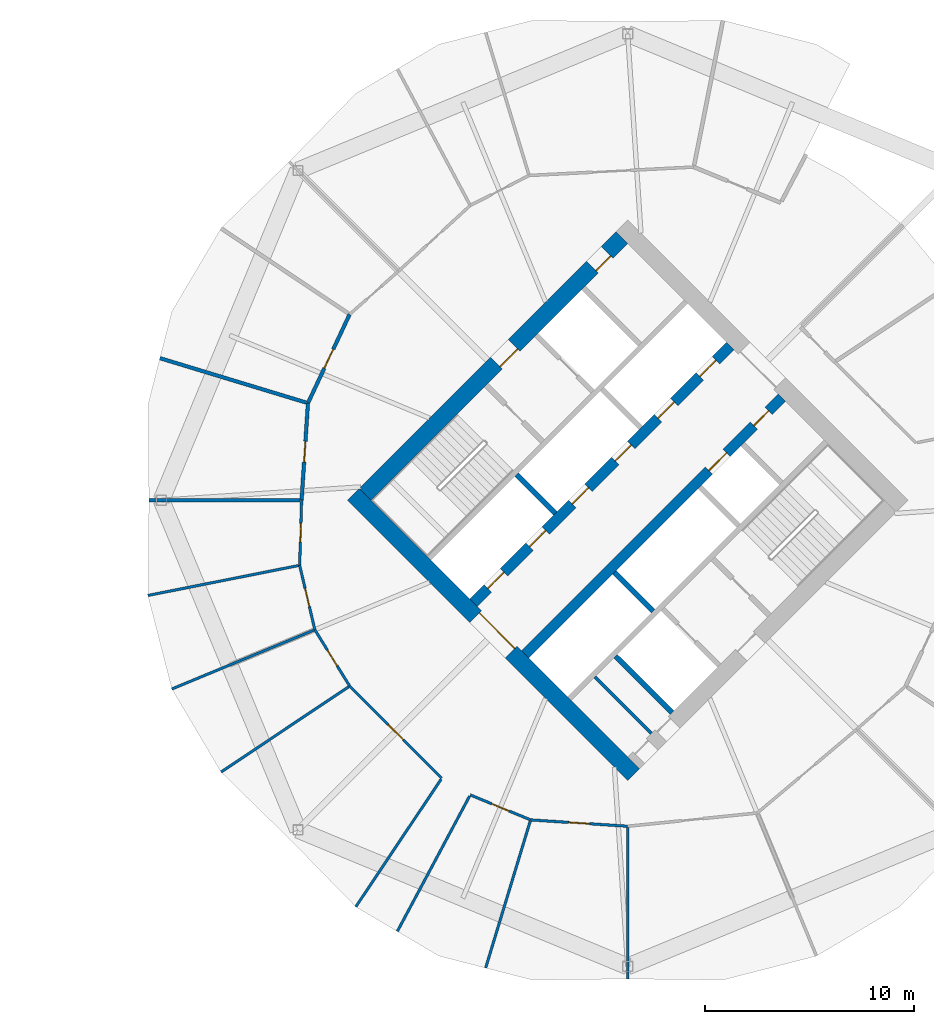
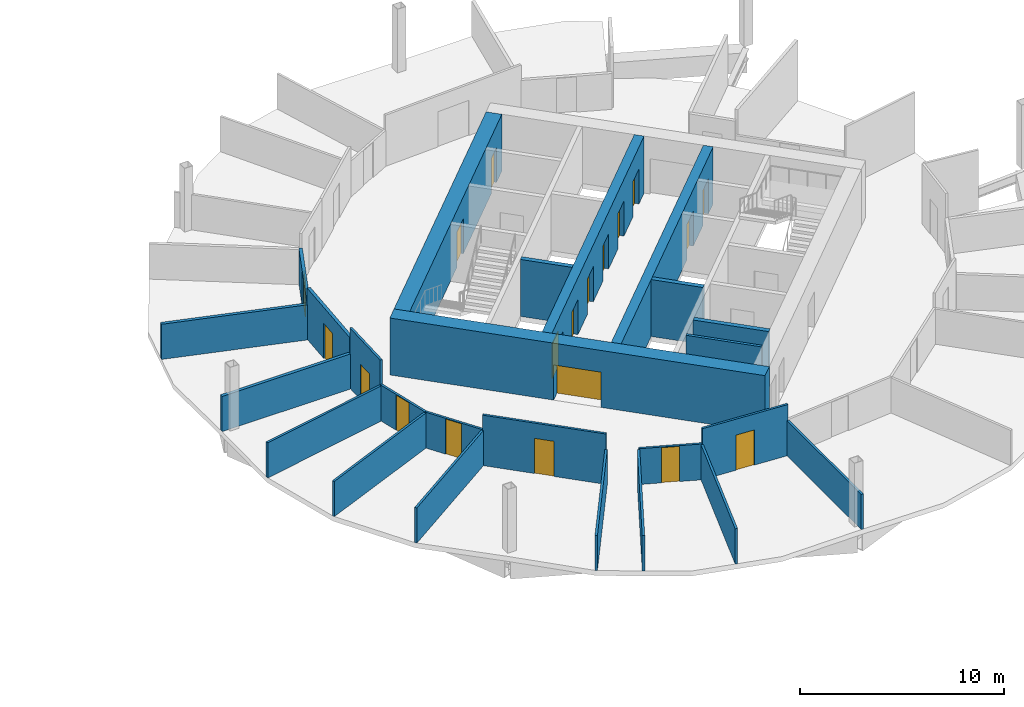
# One storey, part 6 of 10: 25 walls, 19 doors, 19 openings.
"""IFC4 building model written with IfcOpenShell, lengths in metres."""

from ifc_helpers import new_model, si_unit, direction, frame, frame_2d, origin, place, context, subcontext, project, spatial, rectangle, extrude, material, layer, layer_set, type_object, element, fill, save


model = new_model("IFC4")

# Units and contexts
model_context = context("Model", 3, precision=1e-05, world=origin(), true_north=direction((0.0, 1.0)))
body_context = subcontext(model_context, "Body", "Model", "MODEL_VIEW")
ifc_project = project(units=[si_unit("LENGTHUNIT", "METRE"), si_unit("AREAUNIT", "SQUARE_METRE"), si_unit("VOLUMEUNIT", "CUBIC_METRE"), si_unit("PLANEANGLEUNIT", "RADIAN"), si_unit("MASSUNIT", "GRAM", prefix="KILO")], contexts=[model_context])

# Site, building, storey
site_placement = place(None, origin())
site = spatial("IfcSite", under=ifc_project, at=site_placement, CompositionType="ELEMENT")
building_placement = place(site_placement, origin())
building = spatial("IfcBuilding", under=site, at=building_placement, Name="Ogive Gate Towers", CompositionType="ELEMENT")
storey_placement = place(building_placement, frame((0.0, 0.0, 126.89990234375)))
storey = spatial("IfcBuildingStorey", under=building, at=storey_placement, Name="L30", CompositionType="ELEMENT", Elevation=126.89990234375)

# Walls
ifc_material_1 = material(Name="Gypsum board acoustic partition")
ifc_layer_1 = layer(ifc_material_1, 0.175048828125)
ifc_layer_set_1 = layer_set([ifc_layer_1], Name="Acoustic partition 175")
wall_type_1 = type_object("IfcWallType", Name="Acoustic partition 175", PredefinedType="PARTITIONING", material=ifc_layer_set_1)
wall_1_placement = place(storey_placement, frame((13.5751953125, 6.80859375, 0.0), z_axis=(0.0, 0.0, 1.0), x_axis=(0.956872477348, -0.290508282317, 0.0)))
element("IfcWall", 1, at=wall_1_placement, inside=storey, type_object=wall_type_1, Name="Partition T2-L30-010", PredefinedType="PARTITIONING", context=body_context, shape_type="SweptSolid", body=[
    extrude(rectangle(XDim=7.33154296875, YDim=0.175048828125, at=frame_2d((3.665771484375, 0.0))), origin(), (0.0, 0.0, 1.0), 2.10009765625),
])
wall_2_placement = place(storey_placement, frame((13.051025390625, 0.0, 0.0), z_axis=(0.0, 0.0, 1.0), x_axis=(1.0, 0.0, 0.0)))
element("IfcWall", 2, at=wall_2_placement, inside=storey, type_object=wall_type_1, Name="Partition T2-L30-011", PredefinedType="PARTITIONING", context=body_context, shape_type="SweptSolid", body=[
    extrude(rectangle(XDim=7.2314453125, YDim=0.175048828125, at=frame_2d((3.61572265625, 0.0))), origin(), (0.0, 0.0, 1.0), 2.10009765625),
])

# Wall, opening, door
wall_3_placement = place(storey_placement, frame((20.3701171875, 0.0, 0.0), z_axis=(0.0, 0.0, 1.0), x_axis=(0.065233267178, 0.997870042066, 0.0)))
wall_3 = element("IfcWall", 3, at=wall_3_placement, inside=storey, type_object=wall_type_1, Name="Partition T2-L30-028", PredefinedType="PARTITIONING", context=body_context, shape_type="SweptSolid", body=[
    extrude(rectangle(XDim=4.663330078125, YDim=0.175048828125, at=frame_2d((2.33154296875, 0.0))), origin(), (0.0, 0.0, 1.0), 3.050048828125),
])
opening_1_placement = place(wall_3_placement, frame((1.83203125, 0.0, 0.0)))
opening_1 = element("IfcOpeningElement", 4, at=opening_1_placement, cuts=wall_3, Name="Opening T2-L30-D05", PredefinedType="OPENING", context=body_context, shape_type="SweptSolid", body=[
    extrude(rectangle(XDim=1.0, YDim=2.10009765625, at=frame_2d((0.5, 1.050048828125))), frame((0.0, 0.09765625, 0.0), z_axis=(0.0, -1.0, 0.0), x_axis=(1.0, 0.0, 0.0)), (0.0, 0.0, 1.0), 0.195068359375),
])
ifc_material_2 = material(Name="Timber door", Category="wood")
door_type_1 = type_object("IfcDoorType", Name="Door 1000", OperationType="NOTDEFINED", PredefinedType="DOOR", material=ifc_material_2)
door_1_placement = place(opening_1_placement, origin())
door_1 = element("IfcDoor", 5, at=door_1_placement, inside=storey, type_object=door_type_1, Name="Door T2-L30-D05", OperationType="SINGLE_SWING_RIGHT", OverallHeight=2.10009765625, OverallWidth=1.0, PredefinedType="DOOR", context=body_context, shape_type="SweptSolid", body=[
    extrude(rectangle(XDim=1.0, YDim=2.10009765625, at=frame_2d((0.5, 1.050048828125))), frame((0.0, 0.02490234375, 0.0), z_axis=(0.0, -1.0, 0.0), x_axis=(1.0, 0.0, 0.0)), (0.0, 0.0, 1.0), 0.050048828125),
])
fill(opening_1, door_1)

wall_4_placement = place(storey_placement, frame((20.67431640625, 4.6533203125, 0.0), z_axis=(0.0, 0.0, 1.0), x_axis=(0.425174486492, 0.905111405318, 0.0)))
wall_4 = element("IfcWall", 6, at=wall_4_placement, inside=storey, type_object=wall_type_1, Name="Partition T2-L30-029", PredefinedType="PARTITIONING", context=body_context, shape_type="SweptSolid", body=[
    extrude(rectangle(XDim=4.703369140625, YDim=0.175048828125, at=frame_2d((2.3515625, 0.0))), origin(), (0.0, 0.0, 1.0), 2.14013671875),
])
opening_2_placement = place(wall_4_placement, frame((1.85205078125, 0.0, 0.0)))
opening_2 = element("IfcOpeningElement", 7, at=opening_2_placement, cuts=wall_4, Name="Opening T2-L30-D06", PredefinedType="OPENING", context=body_context, shape_type="SweptSolid", body=[
    extrude(rectangle(XDim=1.0, YDim=2.10009765625, at=frame_2d((0.5, 1.050048828125))), frame((0.0, 0.09765625, 0.0), z_axis=(0.0, -1.0, 0.0), x_axis=(1.0, 0.0, 0.0)), (0.0, 0.0, 1.0), 0.195068359375),
])
door_2_placement = place(opening_2_placement, origin())
door_2 = element("IfcDoor", 8, at=door_2_placement, inside=storey, type_object=door_type_1, Name="Door T2-L30-D06", OperationType="SINGLE_SWING_RIGHT", OverallHeight=2.10009765625, OverallWidth=1.0, PredefinedType="DOOR", context=body_context, shape_type="SweptSolid", body=[
    extrude(rectangle(XDim=1.0, YDim=2.10009765625, at=frame_2d((0.5, 1.050048828125))), frame((0.0, 0.02490234375, 0.0), z_axis=(0.0, -1.0, 0.0), x_axis=(1.0, 0.0, 0.0)), (0.0, 0.0, 1.0), 0.050048828125),
])
fill(opening_2, door_2)

# Wall, openings, doors
ifc_material_3 = material(Name="Concrete C60/75", Category="concrete")
ifc_layer_2 = layer(ifc_material_3, 0.800048828125)
ifc_layer_set_2 = layer_set([ifc_layer_2], Name="Core wall 800 mm")
wall_type_2 = type_object("IfcWallType", Name="Core wall 800 mm", PredefinedType="SHEAR", material=ifc_layer_set_2)
wall_5_placement = place(storey_placement, frame((23.41357421875, 0.28271484375, 0.0), z_axis=(0.0, 0.0, 1.0), x_axis=(0.707106781187, 0.707106781187, 0.0)))
wall_5 = element("IfcWall", 9, at=wall_5_placement, inside=storey, type_object=wall_type_2, Name="T2 L30 Core wall 800 mm", PredefinedType="SHEAR", context=body_context, shape_type="SweptSolid", body=[
    extrude(rectangle(XDim=17.400146484375, YDim=0.800048828125, at=frame_2d((8.7001953125, 0.0))), origin(), (0.0, 0.0, 1.0), 3.400146484375),
])
opening_3_placement = place(wall_5_placement, frame((8.89990234375, 0.0, 0.0)))
opening_3 = element("IfcOpeningElement", 10, at=opening_3_placement, cuts=wall_5, Name="Opening KD-T2-L30-15", PredefinedType="OPENING", context=body_context, shape_type="SweptSolid", body=[
    extrude(rectangle(XDim=1.199951171875, YDim=2.10009765625, at=frame_2d((0.60009765625, 1.050048828125))), frame((0.0, 0.41015625, 0.0), z_axis=(0.0, -1.0, 0.0), x_axis=(1.0, 0.0, 0.0)), (0.0, 0.0, 1.0), 0.820068359375),
])
opening_4_placement = place(wall_5_placement, frame((15.39990234375, 0.0, 0.0)))
opening_4 = element("IfcOpeningElement", 11, at=opening_4_placement, cuts=wall_5, Name="Opening KD-T2-L30-17", PredefinedType="OPENING", context=body_context, shape_type="SweptSolid", body=[
    extrude(rectangle(XDim=1.0, YDim=2.10009765625, at=frame_2d((0.5, 1.050048828125))), frame((0.0, 0.41015625, 0.0), z_axis=(0.0, -1.0, 0.0), x_axis=(1.0, 0.0, 0.0)), (0.0, 0.0, 1.0), 0.820068359375),
])
door_type_2 = type_object("IfcDoorType", Name="Accessible WC door 1000 x 2100", OperationType="NOTDEFINED", PredefinedType="DOOR", material=ifc_material_2)
door_3_placement = place(opening_4_placement, origin())
door_3 = element("IfcDoor", 12, at=door_3_placement, inside=storey, type_object=door_type_2, Name="T2 L30 Core door", OperationType="SINGLE_SWING_RIGHT", OverallHeight=2.10009765625, OverallWidth=1.0, PredefinedType="DOOR", context=body_context, shape_type="SweptSolid", body=[
    extrude(rectangle(XDim=1.0, YDim=2.10009765625, at=frame_2d((0.5, 1.050048828125))), frame((0.0, -0.22509765625, 0.0), z_axis=(0.0, -1.0, 0.0), x_axis=(1.0, 0.0, 0.0)), (0.0, 0.0, 1.0), 0.050048828125),
])
fill(opening_4, door_3)
ifc_material_4 = material(Name="Steel fire door", Category="steel")
door_type_3 = type_object("IfcDoorType", Name="Core door FD60S 1200 x 2100", OperationType="NOTDEFINED", PredefinedType="DOOR", material=ifc_material_4)
door_4_placement = place(opening_3_placement, origin())
door_4 = element("IfcDoor", 13, at=door_4_placement, inside=storey, type_object=door_type_3, Name="T2 L30 Fire-fighting lobby door", OperationType="SINGLE_SWING_RIGHT", OverallHeight=2.10009765625, OverallWidth=1.199951171875, PredefinedType="DOOR", context=body_context, shape_type="SweptSolid", body=[
    extrude(rectangle(XDim=1.199951171875, YDim=2.10009765625, at=frame_2d((0.60009765625, 1.050048828125))), frame((0.0, -0.22509765625, 0.0), z_axis=(0.0, -1.0, 0.0), x_axis=(1.0, 0.0, 0.0)), (0.0, 0.0, 1.0), 0.050048828125),
])
fill(opening_3, door_4)

# Wall, opening, door
wall_6_placement = place(storey_placement, frame((36.28271484375, -13.152099609375, 0.0), z_axis=(0.0, 0.0, 1.0), x_axis=(-0.707106781187, 0.707106781187, 0.0)))
wall_6 = element("IfcWall", 14, at=wall_6_placement, inside=storey, type_object=wall_type_2, Name="T2 L30 Core wall 800 mm", PredefinedType="SHEAR", context=body_context, shape_type="SweptSolid", body=[
    extrude(rectangle(XDim=18.999755859375, YDim=0.800048828125, at=frame_2d((9.5, 0.0))), origin(), (0.0, 0.0, 1.0), 3.400146484375),
])
opening_5_placement = place(wall_6_placement, frame((8.300048828125, 0.0, 0.0)))
opening_5 = element("IfcOpeningElement", 15, at=opening_5_placement, cuts=wall_6, Name="Opening KD-T2-L30-01", PredefinedType="OPENING", context=body_context, shape_type="SweptSolid", body=[
    extrude(rectangle(XDim=2.39990234375, YDim=2.10009765625, at=frame_2d((1.199951171875, 1.050048828125))), frame((0.0, 0.41015625, 0.0), z_axis=(0.0, -1.0, 0.0), x_axis=(1.0, 0.0, 0.0)), (0.0, 0.0, 1.0), 0.820068359375),
])
door_type_4 = type_object("IfcDoorType", Name="Core double door FD60S 2400 x 2100", OperationType="DOUBLE_DOOR_SINGLE_SWING", PredefinedType="DOOR", material=ifc_material_4)
door_5_placement = place(opening_5_placement, origin())
door_5 = element("IfcDoor", 16, at=door_5_placement, inside=storey, type_object=door_type_4, Name="T2 L30 Core door double", OperationType="DOUBLE_DOOR_SINGLE_SWING", OverallHeight=2.10009765625, OverallWidth=2.39990234375, PredefinedType="DOOR", context=body_context, shape_type="SweptSolid", body=[
    extrude(rectangle(XDim=2.39990234375, YDim=2.10009765625, at=frame_2d((1.199951171875, 1.050048828125))), frame((0.0, -0.22509765625, 0.0), z_axis=(0.0, -1.0, 0.0), x_axis=(1.0, 0.0, 0.0)), (0.0, 0.0, 1.0), 0.050048828125),
])
fill(opening_5, door_5)

# Walls
ifc_material_5 = material(Name="Gypsum board partition")
ifc_layer_3 = layer(ifc_material_5, 0.125)
ifc_layer_set_3 = layer_set([ifc_layer_3], Name="Partition 125")
wall_type_3 = type_object("IfcWallType", Name="Partition 125", PredefinedType="PARTITIONING", material=ifc_layer_set_3)
wall_7_placement = place(storey_placement, frame((12.99951171875, -4.5673828125, 0.0), z_axis=(0.0, 0.0, 1.0), x_axis=(0.980847810258, 0.194775699489, 0.0)))
element("IfcWall", 17, at=wall_7_placement, inside=storey, type_object=wall_type_3, Name="Partition T2-L30-012", PredefinedType="PARTITIONING", context=body_context, shape_type="SweptSolid", body=[
    extrude(rectangle(XDim=7.3564453125, YDim=0.125, at=frame_2d((3.67822265625, 0.0))), origin(), (0.0, 0.0, 1.0), 2.10009765625),
])
wall_8_placement = place(storey_placement, frame((14.150146484375, -9.05029296875, 0.0), z_axis=(0.0, 0.0, 1.0), x_axis=(0.923882951108, 0.382675179038, 0.0)))
element("IfcWall", 18, at=wall_8_placement, inside=storey, type_object=wall_type_3, Name="Partition T2-L30-013", PredefinedType="PARTITIONING", context=body_context, shape_type="SweptSolid", body=[
    extrude(rectangle(XDim=7.356689453125, YDim=0.125, at=frame_2d((3.67822265625, 0.0))), origin(), (0.0, 0.0, 1.0), 2.10009765625),
])
for number, where, z_axis, x_axis, name in (
    (19, (16.506591796875, -13.0341796875, 0.0), (0.0, 0.0, 1.0), (0.831304109305, 0.555817845928, 0.0), "Partition T2-L30-014"),
    (20, (22.9658203125, -19.493408203125, 0.0), (0.0, 0.0, 1.0), (0.555817845928, 0.831304109305, 0.0), "Partition T2-L30-015"),
    (21, (24.9580078125, -20.671142578125, 0.0), (0.0, 0.0, 1.0), (0.471158290379, 0.882048675192, 0.0), "Partition T2-L30-016"),
):
    element("IfcWall", number, at=place(storey_placement, frame(where, z_axis=z_axis, x_axis=x_axis)), inside=storey, type_object=wall_type_3, Name=name, PredefinedType="PARTITIONING", context=body_context, shape_type="SweptSolid", body=[
        extrude(rectangle(XDim=7.3564453125, YDim=0.125, at=frame_2d((3.67822265625, 0.0))), origin(), (0.0, 0.0, 1.0), 2.10009765625),
    ])
wall_9_placement = place(storey_placement, frame((29.19140625, -22.4248046875, 0.0), z_axis=(0.0, 0.0, 1.0), x_axis=(0.290515788093, 0.956870198548, 0.0)))
element("IfcWall", 22, at=wall_9_placement, inside=storey, type_object=wall_type_3, Name="Partition T2-L30-017", PredefinedType="PARTITIONING", context=body_context, shape_type="SweptSolid", body=[
    extrude(rectangle(XDim=7.356689453125, YDim=0.125, at=frame_2d((3.67822265625, 0.0))), origin(), (0.0, 0.0, 1.0), 2.10009765625),
])
wall_10_placement = place(storey_placement, frame((36.0, -22.948974609375, 0.0), z_axis=(0.0, 0.0, 1.0), x_axis=(0.0, 1.0, 0.0)))
element("IfcWall", 23, at=wall_10_placement, inside=storey, type_object=wall_type_3, Name="Partition T2-L30-018", PredefinedType="PARTITIONING", context=body_context, shape_type="SweptSolid", body=[
    extrude(rectangle(XDim=7.256591796875, YDim=0.125, at=frame_2d((3.62841796875, 0.0))), origin(), (0.0, 0.0, 1.0), 2.10009765625),
])

# Wall, opening, door
wall_11_placement = place(storey_placement, frame((27.089599609375, -13.325927734375, 0.0), z_axis=(0.0, 0.0, 1.0), x_axis=(-0.707106781187, 0.707106781187, 0.0)))
wall_11 = element("IfcWall", 24, at=wall_11_placement, inside=storey, type_object=wall_type_3, Name="Partition T2-L30-024", PredefinedType="PARTITIONING", context=body_context, shape_type="SweptSolid", body=[
    extrude(rectangle(XDim=6.244384765625, YDim=0.125, at=frame_2d((3.1220703125, 0.0))), origin(), (0.0, 0.0, 1.0), 3.010009765625),
])
opening_6_placement = place(wall_11_placement, frame((2.6220703125, 0.0, 0.0)))
opening_6 = element("IfcOpeningElement", 25, at=opening_6_placement, cuts=wall_11, Name="Opening T2-L30-D01", PredefinedType="OPENING", context=body_context, shape_type="SweptSolid", body=[
    extrude(rectangle(XDim=1.0, YDim=2.10009765625, at=frame_2d((0.5, 1.050048828125))), frame((0.0, 0.072509765625, 0.0), z_axis=(0.0, -1.0, 0.0), x_axis=(1.0, 0.0, 0.0)), (0.0, 0.0, 1.0), 0.14501953125),
])
door_6_placement = place(opening_6_placement, origin())
door_6 = element("IfcDoor", 26, at=door_6_placement, inside=storey, type_object=door_type_1, Name="Door T2-L30-D01", OperationType="SINGLE_SWING_RIGHT", OverallHeight=2.10009765625, OverallWidth=1.0, PredefinedType="DOOR", context=body_context, shape_type="SweptSolid", body=[
    extrude(rectangle(XDim=1.0, YDim=2.10009765625, at=frame_2d((0.5, 1.050048828125))), frame((0.0, 0.02490234375, 0.0), z_axis=(0.0, -1.0, 0.0), x_axis=(1.0, 0.0, 0.0)), (0.0, 0.0, 1.0), 0.050048828125),
])
fill(opening_6, door_6)

wall_12_placement = place(storey_placement, frame((22.674072265625, -8.910400390625, 0.0), z_axis=(0.0, 0.0, 1.0), x_axis=(-0.52606593962, 0.850443782488, 0.0)))
wall_12 = element("IfcWall", 27, at=wall_12_placement, inside=storey, type_object=wall_type_3, Name="Partition T2-L30-025", PredefinedType="PARTITIONING", context=body_context, shape_type="SweptSolid", body=[
    extrude(rectangle(XDim=3.173828125, YDim=0.125, at=frame_2d((1.5869140625, 0.0))), origin(), (0.0, 0.0, 1.0), 2.14013671875),
])
opening_7_placement = place(wall_12_placement, frame((1.136962890625, 0.0, 0.0)))
opening_7 = element("IfcOpeningElement", 28, at=opening_7_placement, cuts=wall_12, Name="Opening T2-L30-D02", PredefinedType="OPENING", context=body_context, shape_type="SweptSolid", body=[
    extrude(rectangle(XDim=0.89990234375, YDim=2.10009765625, at=frame_2d((0.449951171875, 1.050048828125))), frame((0.0, 0.072509765625, 0.0), z_axis=(0.0, -1.0, 0.0), x_axis=(1.0, 0.0, 0.0)), (0.0, 0.0, 1.0), 0.14501953125),
])
door_type_5 = type_object("IfcDoorType", Name="Door 900", OperationType="NOTDEFINED", PredefinedType="DOOR", material=ifc_material_2)
door_7_placement = place(opening_7_placement, origin())
door_7 = element("IfcDoor", 29, at=door_7_placement, inside=storey, type_object=door_type_5, Name="Door T2-L30-D02", OperationType="SINGLE_SWING_LEFT", OverallHeight=2.10009765625, OverallWidth=0.89990234375, PredefinedType="DOOR", context=body_context, shape_type="SweptSolid", body=[
    extrude(rectangle(XDim=0.89990234375, YDim=2.10009765625, at=frame_2d((0.449951171875, 1.050048828125))), frame((0.0, 0.02490234375, 0.0), z_axis=(0.0, -1.0, 0.0), x_axis=(1.0, 0.0, 0.0)), (0.0, 0.0, 1.0), 0.050048828125),
])
fill(opening_7, door_7)

wall_13_placement = place(storey_placement, frame((21.00439453125, -6.211181640625, 0.0), z_axis=(0.0, 0.0, 1.0), x_axis=(-0.229408081366, 0.973330330465, 0.0)))
wall_13 = element("IfcWall", 30, at=wall_13_placement, inside=storey, type_object=wall_type_3, Name="Partition T2-L30-026", PredefinedType="PARTITIONING", context=body_context, shape_type="SweptSolid", body=[
    extrude(rectangle(XDim=3.173583984375, YDim=0.125, at=frame_2d((1.5869140625, 0.0))), origin(), (0.0, 0.0, 1.0), 2.14013671875),
])
opening_8_placement = place(wall_13_placement, frame((1.136962890625, 0.0, 0.0)))
opening_8 = element("IfcOpeningElement", 31, at=opening_8_placement, cuts=wall_13, Name="Opening T2-L30-D03", PredefinedType="OPENING", context=body_context, shape_type="SweptSolid", body=[
    extrude(rectangle(XDim=0.89990234375, YDim=2.10009765625, at=frame_2d((0.449951171875, 1.050048828125))), frame((0.0, 0.072509765625, 0.0), z_axis=(0.0, -1.0, 0.0), x_axis=(1.0, 0.0, 0.0)), (0.0, 0.0, 1.0), 0.14501953125),
])
door_8_placement = place(opening_8_placement, origin())
door_8 = element("IfcDoor", 32, at=door_8_placement, inside=storey, type_object=door_type_5, Name="Door T2-L30-D03", OperationType="SINGLE_SWING_RIGHT", OverallHeight=2.10009765625, OverallWidth=0.89990234375, PredefinedType="DOOR", context=body_context, shape_type="SweptSolid", body=[
    extrude(rectangle(XDim=0.89990234375, YDim=2.10009765625, at=frame_2d((0.449951171875, 1.050048828125))), frame((0.0, 0.02490234375, 0.0), z_axis=(0.0, -1.0, 0.0), x_axis=(1.0, 0.0, 0.0)), (0.0, 0.0, 1.0), 0.050048828125),
])
fill(opening_8, door_8)

wall_14_placement = place(storey_placement, frame((20.2763671875, -3.122314453125, 0.0), z_axis=(0.0, 0.0, 1.0), x_axis=(0.030012277705, 0.999549530132, 0.0)))
wall_14 = element("IfcWall", 33, at=wall_14_placement, inside=storey, type_object=wall_type_3, Name="Partition T2-L30-027", PredefinedType="PARTITIONING", context=body_context, shape_type="SweptSolid", body=[
    extrude(rectangle(XDim=3.123779296875, YDim=0.125, at=frame_2d((1.56201171875, 0.0))), origin(), (0.0, 0.0, 1.0), 3.60009765625),
])
opening_9_placement = place(wall_14_placement, frame((1.112060546875, 0.0, 0.0)))
opening_9 = element("IfcOpeningElement", 34, at=opening_9_placement, cuts=wall_14, Name="Opening T2-L30-D04", PredefinedType="OPENING", context=body_context, shape_type="SweptSolid", body=[
    extrude(rectangle(XDim=0.89990234375, YDim=2.10009765625, at=frame_2d((0.449951171875, 1.050048828125))), frame((0.0, 0.072509765625, 0.0), z_axis=(0.0, -1.0, 0.0), x_axis=(1.0, 0.0, 0.0)), (0.0, 0.0, 1.0), 0.14501953125),
])
door_9_placement = place(opening_9_placement, origin())
door_9 = element("IfcDoor", 35, at=door_9_placement, inside=storey, type_object=door_type_5, Name="Door T2-L30-D04", OperationType="SINGLE_SWING_LEFT", OverallHeight=2.10009765625, OverallWidth=0.89990234375, PredefinedType="DOOR", context=body_context, shape_type="SweptSolid", body=[
    extrude(rectangle(XDim=0.89990234375, YDim=2.10009765625, at=frame_2d((0.449951171875, 1.050048828125))), frame((0.0, 0.02490234375, 0.0), z_axis=(0.0, -1.0, 0.0), x_axis=(1.0, 0.0, 0.0)), (0.0, 0.0, 1.0), 0.050048828125),
])
fill(opening_9, door_9)

wall_15_placement = place(storey_placement, frame((36.0, -15.6298828125, 0.0), z_axis=(0.0, 0.0, 1.0), x_axis=(-0.997870042066, 0.065233267178, 0.0)))
wall_15 = element("IfcWall", 36, at=wall_15_placement, inside=storey, type_object=wall_type_3, Name="Partition T2-L30-042", PredefinedType="PARTITIONING", context=body_context, shape_type="SweptSolid", body=[
    extrude(rectangle(XDim=4.663330078125, YDim=0.125, at=frame_2d((2.33154296875, 0.0))), origin(), (0.0, 0.0, 1.0), 3.050048828125),
])
opening_10_placement = place(wall_15_placement, frame((1.83203125, 0.0, 0.0)))
opening_10 = element("IfcOpeningElement", 37, at=opening_10_placement, cuts=wall_15, Name="Opening T2-L30-D19", PredefinedType="OPENING", context=body_context, shape_type="SweptSolid", body=[
    extrude(rectangle(XDim=1.0, YDim=2.10009765625, at=frame_2d((0.5, 1.050048828125))), frame((0.0, 0.072509765625, 0.0), z_axis=(0.0, -1.0, 0.0), x_axis=(1.0, 0.0, 0.0)), (0.0, 0.0, 1.0), 0.14501953125),
])
door_10_placement = place(opening_10_placement, origin())
door_10 = element("IfcDoor", 38, at=door_10_placement, inside=storey, type_object=door_type_1, Name="Door T2-L30-D19", OperationType="SINGLE_SWING_RIGHT", OverallHeight=2.10009765625, OverallWidth=1.0, PredefinedType="DOOR", context=body_context, shape_type="SweptSolid", body=[
    extrude(rectangle(XDim=1.0, YDim=2.10009765625, at=frame_2d((0.5, 1.050048828125))), frame((0.0, 0.02490234375, 0.0), z_axis=(0.0, -1.0, 0.0), x_axis=(1.0, 0.0, 0.0)), (0.0, 0.0, 1.0), 0.050048828125),
])
fill(opening_10, door_10)

wall_16_placement = place(storey_placement, frame((31.3466796875, -15.32568359375, 0.0), z_axis=(0.0, 0.0, 1.0), x_axis=(-0.923863839852, 0.382721315598, 0.0)))
wall_16 = element("IfcWall", 39, at=wall_16_placement, inside=storey, type_object=wall_type_3, Name="Partition T2-L30-043", PredefinedType="PARTITIONING", context=body_context, shape_type="SweptSolid", body=[
    extrude(rectangle(XDim=3.131591796875, YDim=0.125, at=frame_2d((1.56591796875, 0.0))), origin(), (0.0, 0.0, 1.0), 2.14013671875),
])
opening_11_placement = place(wall_16_placement, frame((1.115966796875, 0.0, 0.0)))
opening_11 = element("IfcOpeningElement", 40, at=opening_11_placement, cuts=wall_16, Name="Opening T2-L30-D20", PredefinedType="OPENING", context=body_context, shape_type="SweptSolid", body=[
    extrude(rectangle(XDim=0.89990234375, YDim=2.10009765625, at=frame_2d((0.449951171875, 1.050048828125))), frame((0.0, 0.072509765625, 0.0), z_axis=(0.0, -1.0, 0.0), x_axis=(1.0, 0.0, 0.0)), (0.0, 0.0, 1.0), 0.14501953125),
])
door_11_placement = place(opening_11_placement, origin())
door_11 = element("IfcDoor", 41, at=door_11_placement, inside=storey, type_object=door_type_5, Name="Door T2-L30-D20", OperationType="SINGLE_SWING_RIGHT", OverallHeight=2.10009765625, OverallWidth=0.89990234375, PredefinedType="DOOR", context=body_context, shape_type="SweptSolid", body=[
    extrude(rectangle(XDim=0.89990234375, YDim=2.10009765625, at=frame_2d((0.449951171875, 1.050048828125))), frame((0.0, 0.02490234375, 0.0), z_axis=(0.0, -1.0, 0.0), x_axis=(1.0, 0.0, 0.0)), (0.0, 0.0, 1.0), 0.050048828125),
])
fill(opening_11, door_11)

# Walls
ifc_layer_4 = layer(ifc_material_5, 0.14990234375)
ifc_layer_set_4 = layer_set([ifc_layer_4], Name="Room partition 150 mm")
wall_type_4 = type_object("IfcWallType", Name="Room partition 150 mm", PredefinedType="PARTITIONING", material=ifc_layer_set_4)
wall_17_placement = place(storey_placement, frame((37.13134765625, -11.17236328125, 0.0), z_axis=(0.0, 0.0, 1.0), x_axis=(-0.707074866995, 0.707138693938, 0.0)))
element("IfcWall", 42, at=wall_17_placement, inside=storey, type_object=wall_type_4, Name="T2 L30 Room partition 150 mm", PredefinedType="PARTITIONING", context=body_context, shape_type="SweptSolid", body=[
    extrude(rectangle(XDim=3.824951171875, YDim=0.14990234375, at=frame_2d((1.91259765625, 0.0))), origin(), (0.0, 0.0, 1.0), 3.400146484375),
])
ifc_layer_5 = layer(ifc_material_3, 0.25)
ifc_layer_set_5 = layer_set([ifc_layer_5], Name="Shaft wall 250 mm")
wall_type_5 = type_object("IfcWallType", Name="Shaft wall 250 mm", PredefinedType="SHEAR", material=ifc_layer_set_5)
wall_18_placement = place(storey_placement, frame((38.121337890625, -10.182373046875, 0.0), z_axis=(0.0, 0.0, 1.0), x_axis=(-0.707138693938, 0.707074866995, 0.0)))
element("IfcWall", 43, at=wall_18_placement, inside=storey, type_object=wall_type_5, Name="T2 L30 Shaft wall 250 mm", PredefinedType="SHEAR", context=body_context, shape_type="SweptSolid", body=[
    extrude(rectangle(XDim=3.824951171875, YDim=0.25, at=frame_2d((1.91259765625, 0.0))), origin(), (0.0, 0.0, 1.0), 3.400146484375),
])
for number, where, z_axis, x_axis, name in (
    (44, (37.2197265625, -5.321044921875, 0.0), (0.0, 0.0, 1.0), (-0.707106781187, 0.707106781187, 0.0), "T2 L30 Shaft wall 250 mm"),
    (45, (32.53515625, -0.636474609375, 0.0), (0.0, 0.0, 1.0), (-0.707106781187, 0.707106781187, 0.0), "T2 L30 Shaft wall 250 mm"),
):
    element("IfcWall", number, at=place(storey_placement, frame(where, z_axis=z_axis, x_axis=x_axis)), inside=storey, type_object=wall_type_5, Name=name, PredefinedType="SHEAR", context=body_context, shape_type="SweptSolid", body=[
        extrude(rectangle(XDim=2.625, YDim=0.25, at=frame_2d((1.3125, 0.0))), origin(), (0.0, 0.0, 1.0), 3.400146484375),
    ])

# Wall, openings, doors
ifc_layer_6 = layer(ifc_material_3, 0.5)
ifc_layer_set_6 = layer_set([ifc_layer_6], Name="Spine wall 500 mm")
wall_type_6 = type_object("IfcWallType", Name="Spine wall 500 mm", PredefinedType="SHEAR", material=ifc_layer_set_6)
wall_19_placement = place(storey_placement, frame((31.085693359375, -7.389404296875, 0.0), z_axis=(0.0, 0.0, 1.0), x_axis=(0.707106781187, 0.707106781187, 0.0)))
wall_19 = element("IfcWall", 46, at=wall_19_placement, inside=storey, type_object=wall_type_6, Name="T2 L30 Spine wall 500 mm", PredefinedType="SHEAR", context=body_context, shape_type="SweptSolid", body=[
    extrude(rectangle(XDim=17.400146484375, YDim=0.5, at=frame_2d((8.7001953125, 0.0))), origin(), (0.0, 0.0, 1.0), 3.400146484375),
])
opening_12_placement = place(wall_19_placement, frame((12.449951171875, 0.0, 0.0)))
opening_12 = element("IfcOpeningElement", 47, at=opening_12_placement, cuts=wall_19, Name="Opening LD-T2-L30-09", PredefinedType="OPENING", context=body_context, shape_type="SweptSolid", body=[
    extrude(rectangle(XDim=1.199951171875, YDim=2.10009765625, at=frame_2d((0.60009765625, 1.050048828125))), frame((0.0, 0.260009765625, 0.0), z_axis=(0.0, -1.0, 0.0), x_axis=(1.0, 0.0, 0.0)), (0.0, 0.0, 1.0), 0.52001953125),
])
opening_13_placement = place(wall_19_placement, frame((15.5, 0.0, 0.0)))
opening_13 = element("IfcOpeningElement", 48, at=opening_13_placement, cuts=wall_19, Name="Opening KD-T2-L30-12", PredefinedType="OPENING", context=body_context, shape_type="SweptSolid", body=[
    extrude(rectangle(XDim=1.0, YDim=2.10009765625, at=frame_2d((0.5, 1.050048828125))), frame((0.0, 0.260009765625, 0.0), z_axis=(0.0, -1.0, 0.0), x_axis=(1.0, 0.0, 0.0)), (0.0, 0.0, 1.0), 0.52001953125),
])
door_type_6 = type_object("IfcDoorType", Name="Core door FD60S 1000 x 2100", OperationType="NOTDEFINED", PredefinedType="DOOR", material=ifc_material_4)
door_12_placement = place(opening_13_placement, origin())
door_12 = element("IfcDoor", 49, at=door_12_placement, inside=storey, type_object=door_type_6, Name="T2 L30 Core door", OperationType="SINGLE_SWING_LEFT", OverallHeight=2.10009765625, OverallWidth=1.0, PredefinedType="DOOR", context=body_context, shape_type="SweptSolid", body=[
    extrude(rectangle(XDim=1.0, YDim=2.10009765625, at=frame_2d((0.5, 1.050048828125))), frame((0.0, 0.02490234375, 0.0), z_axis=(0.0, -1.0, 0.0), x_axis=(1.0, 0.0, 0.0)), (0.0, 0.0, 1.0), 0.050048828125),
])
fill(opening_13, door_12)
ifc_material_6 = material(Name="Stainless steel landing door", Category="steel")
door_type_7 = type_object("IfcDoorType", Name="Landing door 1200 x 2100", OperationType="SLIDING_TO_LEFT", PredefinedType="DOOR", material=ifc_material_6)
door_13_placement = place(opening_12_placement, origin())
door_13 = element("IfcDoor", 50, at=door_13_placement, inside=storey, type_object=door_type_7, Name="T2 L30 Lift landing door SVC", OperationType="SLIDING_TO_LEFT", OverallHeight=2.10009765625, OverallWidth=1.199951171875, PredefinedType="DOOR", context=body_context, shape_type="SweptSolid", body=[
    extrude(rectangle(XDim=1.199951171875, YDim=2.10009765625, at=frame_2d((0.60009765625, 1.050048828125))), frame((0.0, 0.02490234375, 0.0), z_axis=(0.0, -1.0, 0.0), x_axis=(1.0, 0.0, 0.0)), (0.0, 0.0, 1.0), 0.050048828125),
])
fill(opening_12, door_13)

wall_20_placement = place(storey_placement, frame((28.610595703125, -4.914306640625, 0.0), z_axis=(0.0, 0.0, 1.0), x_axis=(0.707106781187, 0.707106781187, 0.0)))
wall_20 = element("IfcWall", 51, at=wall_20_placement, inside=storey, type_object=wall_type_6, Name="T2 L30 Spine wall 500 mm", PredefinedType="SHEAR", context=body_context, shape_type="SweptSolid", body=[
    extrude(rectangle(XDim=17.400146484375, YDim=0.5, at=frame_2d((8.7001953125, 0.0))), origin(), (0.0, 0.0, 1.0), 3.400146484375),
])
opening_14_placement = place(wall_20_placement, frame((0.96240234375, 0.0, 0.0)))
opening_14 = element("IfcOpeningElement", 52, at=opening_14_placement, cuts=wall_20, Name="Opening LD-T2-L30-03", PredefinedType="OPENING", context=body_context, shape_type="SweptSolid", body=[
    extrude(rectangle(XDim=1.10009765625, YDim=2.10009765625, at=frame_2d((0.550048828125, 1.050048828125))), frame((0.0, 0.260009765625, 0.0), z_axis=(0.0, -1.0, 0.0), x_axis=(1.0, 0.0, 0.0)), (0.0, 0.0, 1.0), 0.52001953125),
])
opening_15_placement = place(wall_20_placement, frame((3.800048828125, 0.0, 0.0)))
opening_15 = element("IfcOpeningElement", 53, at=opening_15_placement, cuts=wall_20, Name="Opening LD-T2-L30-04", PredefinedType="OPENING", context=body_context, shape_type="SweptSolid", body=[
    extrude(rectangle(XDim=1.10009765625, YDim=2.10009765625, at=frame_2d((0.550048828125, 1.050048828125))), frame((0.0, 0.260009765625, 0.0), z_axis=(0.0, -1.0, 0.0), x_axis=(1.0, 0.0, 0.0)), (0.0, 0.0, 1.0), 0.52001953125),
])
opening_16_placement = place(wall_20_placement, frame((6.699951171875, 0.0, 0.0)))
opening_16 = element("IfcOpeningElement", 54, at=opening_16_placement, cuts=wall_20, Name="Opening LD-T2-L30-05", PredefinedType="OPENING", context=body_context, shape_type="SweptSolid", body=[
    extrude(rectangle(XDim=1.10009765625, YDim=2.10009765625, at=frame_2d((0.550048828125, 1.050048828125))), frame((0.0, 0.260009765625, 0.0), z_axis=(0.0, -1.0, 0.0), x_axis=(1.0, 0.0, 0.0)), (0.0, 0.0, 1.0), 0.52001953125),
])
opening_17_placement = place(wall_20_placement, frame((9.60009765625, 0.0, 0.0)))
opening_17 = element("IfcOpeningElement", 55, at=opening_17_placement, cuts=wall_20, Name="Opening LD-T2-L30-06", PredefinedType="OPENING", context=body_context, shape_type="SweptSolid", body=[
    extrude(rectangle(XDim=1.10009765625, YDim=2.10009765625, at=frame_2d((0.550048828125, 1.050048828125))), frame((0.0, 0.260009765625, 0.0), z_axis=(0.0, -1.0, 0.0), x_axis=(1.0, 0.0, 0.0)), (0.0, 0.0, 1.0), 0.52001953125),
])
opening_18_placement = place(wall_20_placement, frame((12.5, 0.0, 0.0)))
opening_18 = element("IfcOpeningElement", 56, at=opening_18_placement, cuts=wall_20, Name="Opening LD-T2-L30-07", PredefinedType="OPENING", context=body_context, shape_type="SweptSolid", body=[
    extrude(rectangle(XDim=1.10009765625, YDim=2.10009765625, at=frame_2d((0.550048828125, 1.050048828125))), frame((0.0, 0.260009765625, 0.0), z_axis=(0.0, -1.0, 0.0), x_axis=(1.0, 0.0, 0.0)), (0.0, 0.0, 1.0), 0.52001953125),
])
opening_19_placement = place(wall_20_placement, frame((15.33740234375, 0.0, 0.0)))
opening_19 = element("IfcOpeningElement", 57, at=opening_19_placement, cuts=wall_20, Name="Opening LD-T2-L30-08", PredefinedType="OPENING", context=body_context, shape_type="SweptSolid", body=[
    extrude(rectangle(XDim=1.10009765625, YDim=2.10009765625, at=frame_2d((0.550048828125, 1.050048828125))), frame((0.0, 0.260009765625, 0.0), z_axis=(0.0, -1.0, 0.0), x_axis=(1.0, 0.0, 0.0)), (0.0, 0.0, 1.0), 0.52001953125),
])
door_type_8 = type_object("IfcDoorType", Name="Landing door 1100 x 2100", OperationType="SLIDING_TO_LEFT", PredefinedType="DOOR", material=ifc_material_6)
door_14_placement = place(opening_14_placement, origin())
door_14 = element("IfcDoor", 58, at=door_14_placement, inside=storey, type_object=door_type_8, Name="T2 L30 Lift landing door A1", OperationType="SLIDING_TO_LEFT", OverallHeight=2.10009765625, OverallWidth=1.10009765625, PredefinedType="DOOR", context=body_context, shape_type="SweptSolid", body=[
    extrude(rectangle(XDim=1.10009765625, YDim=2.10009765625, at=frame_2d((0.550048828125, 1.050048828125))), frame((0.0, 0.02490234375, 0.0), z_axis=(0.0, -1.0, 0.0), x_axis=(1.0, 0.0, 0.0)), (0.0, 0.0, 1.0), 0.050048828125),
])
fill(opening_14, door_14)
door_15_placement = place(opening_15_placement, origin())
door_15 = element("IfcDoor", 59, at=door_15_placement, inside=storey, type_object=door_type_8, Name="T2 L30 Lift landing door A2", OperationType="SLIDING_TO_LEFT", OverallHeight=2.10009765625, OverallWidth=1.10009765625, PredefinedType="DOOR", context=body_context, shape_type="SweptSolid", body=[
    extrude(rectangle(XDim=1.10009765625, YDim=2.10009765625, at=frame_2d((0.550048828125, 1.050048828125))), frame((0.0, 0.02490234375, 0.0), z_axis=(0.0, -1.0, 0.0), x_axis=(1.0, 0.0, 0.0)), (0.0, 0.0, 1.0), 0.050048828125),
])
fill(opening_15, door_15)
door_16_placement = place(opening_16_placement, origin())
door_16 = element("IfcDoor", 60, at=door_16_placement, inside=storey, type_object=door_type_8, Name="T2 L30 Lift landing door A3", OperationType="SLIDING_TO_LEFT", OverallHeight=2.10009765625, OverallWidth=1.10009765625, PredefinedType="DOOR", context=body_context, shape_type="SweptSolid", body=[
    extrude(rectangle(XDim=1.10009765625, YDim=2.10009765625, at=frame_2d((0.550048828125, 1.050048828125))), frame((0.0, 0.02490234375, 0.0), z_axis=(0.0, -1.0, 0.0), x_axis=(1.0, 0.0, 0.0)), (0.0, 0.0, 1.0), 0.050048828125),
])
fill(opening_16, door_16)
door_17_placement = place(opening_17_placement, origin())
door_17 = element("IfcDoor", 61, at=door_17_placement, inside=storey, type_object=door_type_8, Name="T2 L30 Lift landing door A4", OperationType="SLIDING_TO_LEFT", OverallHeight=2.10009765625, OverallWidth=1.10009765625, PredefinedType="DOOR", context=body_context, shape_type="SweptSolid", body=[
    extrude(rectangle(XDim=1.10009765625, YDim=2.10009765625, at=frame_2d((0.550048828125, 1.050048828125))), frame((0.0, 0.02490234375, 0.0), z_axis=(0.0, -1.0, 0.0), x_axis=(1.0, 0.0, 0.0)), (0.0, 0.0, 1.0), 0.050048828125),
])
fill(opening_17, door_17)
door_18_placement = place(opening_18_placement, origin())
door_18 = element("IfcDoor", 62, at=door_18_placement, inside=storey, type_object=door_type_8, Name="T2 L30 Lift landing door A5", OperationType="SLIDING_TO_LEFT", OverallHeight=2.10009765625, OverallWidth=1.10009765625, PredefinedType="DOOR", context=body_context, shape_type="SweptSolid", body=[
    extrude(rectangle(XDim=1.10009765625, YDim=2.10009765625, at=frame_2d((0.550048828125, 1.050048828125))), frame((0.0, 0.02490234375, 0.0), z_axis=(0.0, -1.0, 0.0), x_axis=(1.0, 0.0, 0.0)), (0.0, 0.0, 1.0), 0.050048828125),
])
fill(opening_18, door_18)
door_19_placement = place(opening_19_placement, origin())
door_19 = element("IfcDoor", 63, at=door_19_placement, inside=storey, type_object=door_type_8, Name="T2 L30 Lift landing door A6", OperationType="SLIDING_TO_LEFT", OverallHeight=2.10009765625, OverallWidth=1.10009765625, PredefinedType="DOOR", context=body_context, shape_type="SweptSolid", body=[
    extrude(rectangle(XDim=1.10009765625, YDim=2.10009765625, at=frame_2d((0.550048828125, 1.050048828125))), frame((0.0, 0.02490234375, 0.0), z_axis=(0.0, -1.0, 0.0), x_axis=(1.0, 0.0, 0.0)), (0.0, 0.0, 1.0), 0.050048828125),
])
fill(opening_19, door_19)

save(model, "model.ifc")
